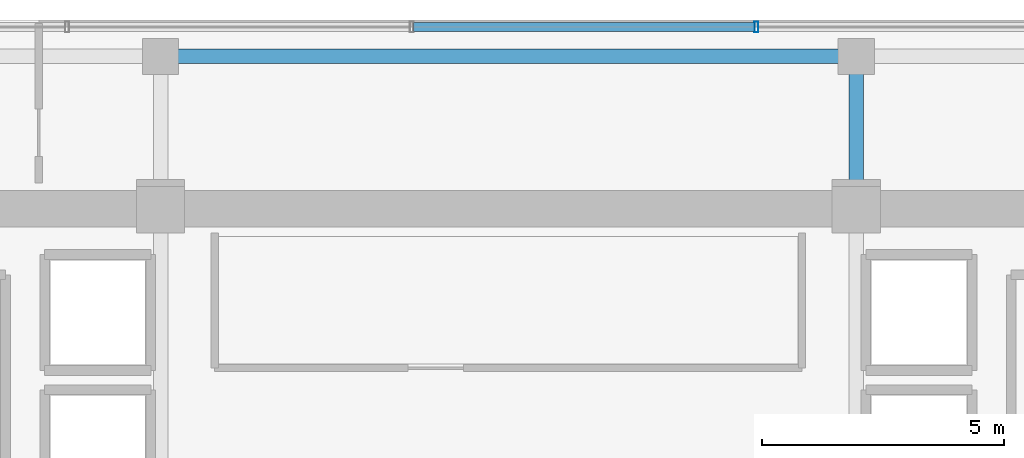
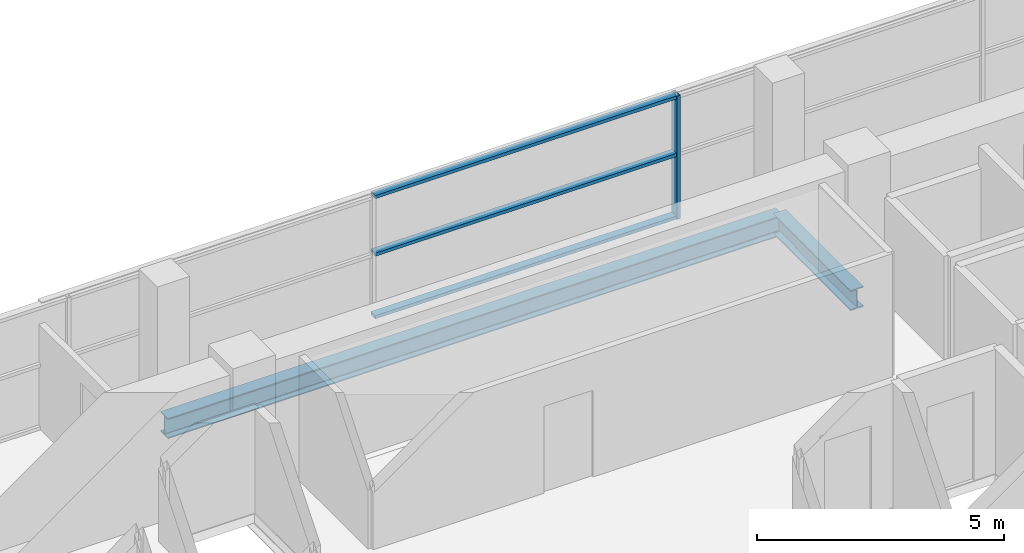
# One storey, part 11 of 21: 4 members, 2 beams, 1 element without a shape of its own.
"""IFC4 building model written with IfcOpenShell, lengths in metres."""

from ifc_helpers import new_model, si_unit, direction, frame, origin, origin_2d, place, context, subcontext, project, spatial, hollow_rectangle, i_section, extrude, source, transform, mapped, material, layer, layer_set, material_profile, profile_set, type_object, element, aggregate, save


model = new_model("IFC4")

# Units and contexts
model_context = context("Model", 3, precision=1e-05, world=origin(), true_north=direction((0.0, 1.0)))
body_context = subcontext(model_context, "Body", "Model", "MODEL_VIEW")
ifc_project = project(units=[si_unit("LENGTHUNIT", "METRE"), si_unit("AREAUNIT", "SQUARE_METRE"), si_unit("VOLUMEUNIT", "CUBIC_METRE"), si_unit("PLANEANGLEUNIT", "RADIAN"), si_unit("MASSUNIT", "GRAM", prefix="KILO")], contexts=[model_context])

# Site, building, storey
site_placement = place(None, origin())
site = spatial("IfcSite", under=ifc_project, at=site_placement, CompositionType="ELEMENT")
building_placement = place(site_placement, origin())
building = spatial("IfcBuilding", under=site, at=building_placement, Name="Zarnakvel Exchange Tower", CompositionType="ELEMENT")
storey_placement = place(building_placement, frame((0.0, 0.0, 166.0)))
storey = spatial("IfcBuildingStorey", under=building, at=storey_placement, Name="L46", CompositionType="ELEMENT", Elevation=166.0)

# Beams
ifc_material_1 = material(Name="Steel S355", Category="steel")
ifc_material_profile_1 = material_profile(ifc_material_1, i_section(OverallWidth=0.300048828125, OverallDepth=0.5, WebThickness=0.014404296875, FlangeThickness=0.028076171875, FilletRadius=0.027099609375, at=origin_2d()))
ifc_profile_set_1 = profile_set([ifc_material_profile_1], Name="Steel S355")
beam_type_1 = type_object("IfcBeamType", Name="G-06", PredefinedType="BEAM", material=ifc_profile_set_1)
beam_1_placement = place(storey_placement, frame((7.199951171875, 13.5, -0.47509765625), z_axis=(0.0, 1.0, 0.0), x_axis=(-1.0, 0.0, 0.0)))
element("IfcBeam", 1, at=beam_1_placement, inside=storey, type_object=beam_type_1, Name="L46 Tower N-S Frame Beam", PredefinedType="BEAM", context=body_context, shape_type="SweptSolid", body=[
    extrude(i_section(OverallWidth=0.300048828125, OverallDepth=0.5, WebThickness=0.014404296875, FlangeThickness=0.028076171875, FilletRadius=0.027099609375, at=origin_2d()), origin(), (0.0, 0.0, 1.0), 3.14990234375),
])
ifc_material_profile_2 = material_profile(ifc_material_1, i_section(OverallWidth=0.300048828125, OverallDepth=0.5, WebThickness=0.014404296875, FlangeThickness=0.028076171875, FilletRadius=0.027099609375, at=origin_2d()))
ifc_profile_set_2 = profile_set([ifc_material_profile_2], Name="Steel S355")
beam_type_2 = type_object("IfcBeamType", Name="SP-02", PredefinedType="SPANDREL", material=ifc_profile_set_2)
beam_2_placement = place(storey_placement, frame((-7.199951171875, 16.64990234375, -0.47509765625), z_axis=(1.0, 0.0, 0.0), x_axis=(0.0, 1.0, 0.0)))
element("IfcBeam", 2, at=beam_2_placement, inside=storey, type_object=beam_type_2, Name="L46 Tower E-W Frame Beam", PredefinedType="SPANDREL", context=body_context, shape_type="SweptSolid", body=[
    extrude(i_section(OverallWidth=0.300048828125, OverallDepth=0.5, WebThickness=0.014404296875, FlangeThickness=0.028076171875, FilletRadius=0.027099609375, at=origin_2d()), origin(), (0.0, 0.0, 1.0), 14.39990234375),
])

# Curtain wall, members
ifc_material_2 = material(Name="Architectural Bronze Anodised Aluminium", Category="aluminium")
ifc_layer = layer(ifc_material_2, 0.219970703125)
ifc_layer_set = layer_set([ifc_layer], Name="Architectural Bronze Anodised Aluminium")
curtain_wall_type = type_object("IfcCurtainWallType", Name="CW-03", PredefinedType="NOTDEFINED", material=ifc_layer_set)
curtain_wall_placement = place(storey_placement, origin())
curtain_wall = element("IfcCurtainWall", 3, at=curtain_wall_placement, inside=storey, type_object=curtain_wall_type, Name="L46 Curtain Wall CW-L46-N1 (CW-03)", PredefinedType="NOTDEFINED")
ifc_material_profile_3 = material_profile(ifc_material_2, hollow_rectangle(XDim=0.219970703125, YDim=0.080078125, WallThickness=0.0048828125, at=origin_2d()))
ifc_profile_set_3 = profile_set([ifc_material_profile_3], Name="Architectural Bronze Anodised Aluminium")
member_type_1 = type_object("IfcMemberType", Name="CWM-03", PredefinedType="MULLION", material=ifc_profile_set_3)
shared_shape_1 = source(origin(), body_context, "Body", "SweptSolid", [
    extrude(hollow_rectangle(XDim=0.219970703125, YDim=0.080078125, WallThickness=0.0048828125, at=origin_2d()), origin(), (0.0, 0.0, 1.0), 3.054931640625),
])
member_1_placement = place(storey_placement, frame((5.13330078125, 17.260009765625, 0.0), z_axis=(0.0, 0.0, 1.0), x_axis=(0.0, 1.0, 0.0)))
member_1 = element("IfcMember", 4, at=member_1_placement, type_object=member_type_1, Name="CW-03 mullion 5", PredefinedType="MULLION", context=body_context, shape_type="MappedRepresentation", body=[
    mapped(shared_shape_1, transform((0.0, 0.0, 0.0), x_axis=(1.0, 0.0, 0.0), y_axis=(0.0, 1.0, 0.0), z_axis=(0.0, 0.0, 1.0), scale=1.0)),
])
ifc_material_profile_4 = material_profile(ifc_material_2, hollow_rectangle(XDim=0.179931640625, YDim=0.080078125, WallThickness=0.00390625, at=origin_2d()))
ifc_profile_set_4 = profile_set([ifc_material_profile_4], Name="Architectural Bronze Anodised Aluminium")
member_type_2 = type_object("IfcMemberType", Name="CWT-03", PredefinedType="USERDEFINED", material=ifc_profile_set_4)
shared_shape_2 = source(origin(), body_context, "Body", "SweptSolid", [
    extrude(hollow_rectangle(XDim=0.179931640625, YDim=0.080078125, WallThickness=0.00390625, at=origin_2d()), origin(), (0.0, 0.0, 1.0), 7.05322265625),
])
member_2_placement = place(storey_placement, frame((-1.9599609375, 17.260009765625, 0.0400390625), z_axis=(1.0, 0.0, 0.0), x_axis=(0.0, 1.0, 0.0)))
member_2 = element("IfcMember", 5, at=member_2_placement, type_object=member_type_2, Name="CW-03 transom 4.1", ObjectType="TRANSOM", PredefinedType="USERDEFINED", context=body_context, shape_type="MappedRepresentation", body=[
    mapped(shared_shape_2, transform((0.0, 0.0, 0.0), x_axis=(1.0, 0.0, 0.0), y_axis=(0.0, 1.0, 0.0), z_axis=(0.0, 0.0, 1.0), scale=1.0)),
])
member_3_placement = place(storey_placement, frame((-1.9599609375, 17.260009765625, 1.588623046875), z_axis=(1.0, 0.0, 0.0), x_axis=(0.0, 1.0, 0.0)))
member_3 = element("IfcMember", 6, at=member_3_placement, type_object=member_type_2, Name="CW-03 transom 4.2", ObjectType="TRANSOM", PredefinedType="USERDEFINED", context=body_context, shape_type="MappedRepresentation", body=[
    mapped(shared_shape_2, transform((0.0, 0.0, 0.0), x_axis=(1.0, 0.0, 0.0), y_axis=(0.0, 1.0, 0.0), z_axis=(0.0, 0.0, 1.0), scale=1.0)),
])
member_4_placement = place(storey_placement, frame((-1.9599609375, 17.260009765625, 3.014892578125), z_axis=(1.0, 0.0, 0.0), x_axis=(0.0, 1.0, 0.0)))
member_4 = element("IfcMember", 7, at=member_4_placement, type_object=member_type_2, Name="CW-03 transom 4.3", ObjectType="TRANSOM", PredefinedType="USERDEFINED", context=body_context, shape_type="MappedRepresentation", body=[
    mapped(shared_shape_2, transform((0.0, 0.0, 0.0), x_axis=(1.0, 0.0, 0.0), y_axis=(0.0, 1.0, 0.0), z_axis=(0.0, 0.0, 1.0), scale=1.0)),
])
aggregate(curtain_wall, [member_1, member_2, member_3, member_4])

save(model, "model.ifc")
